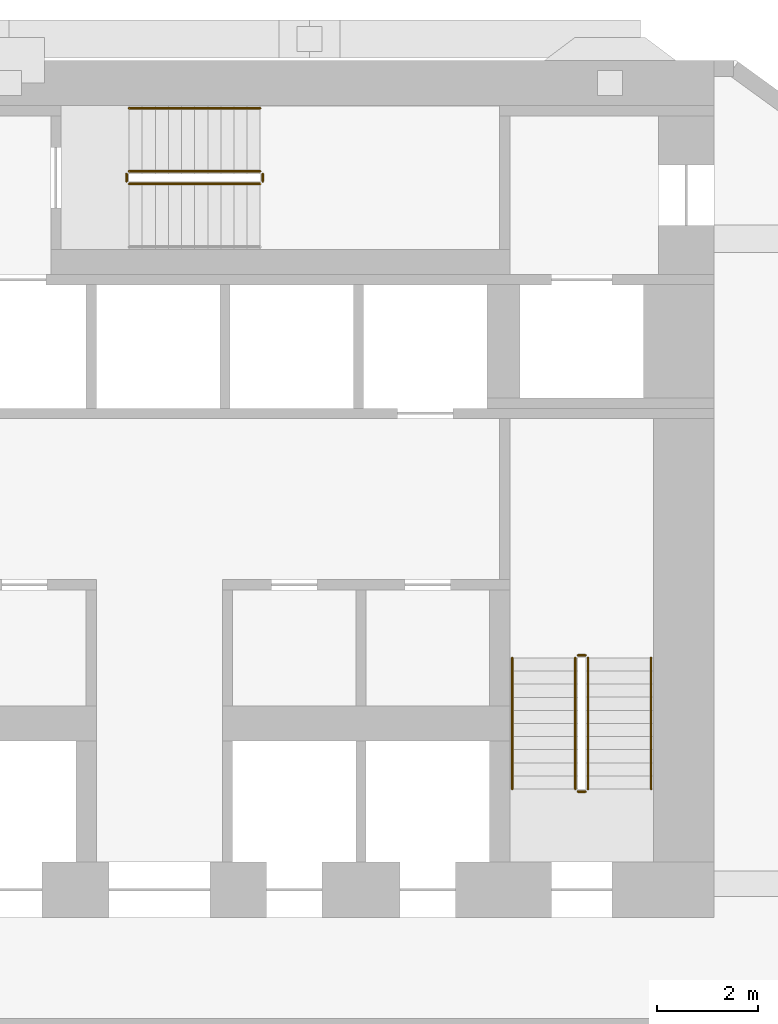
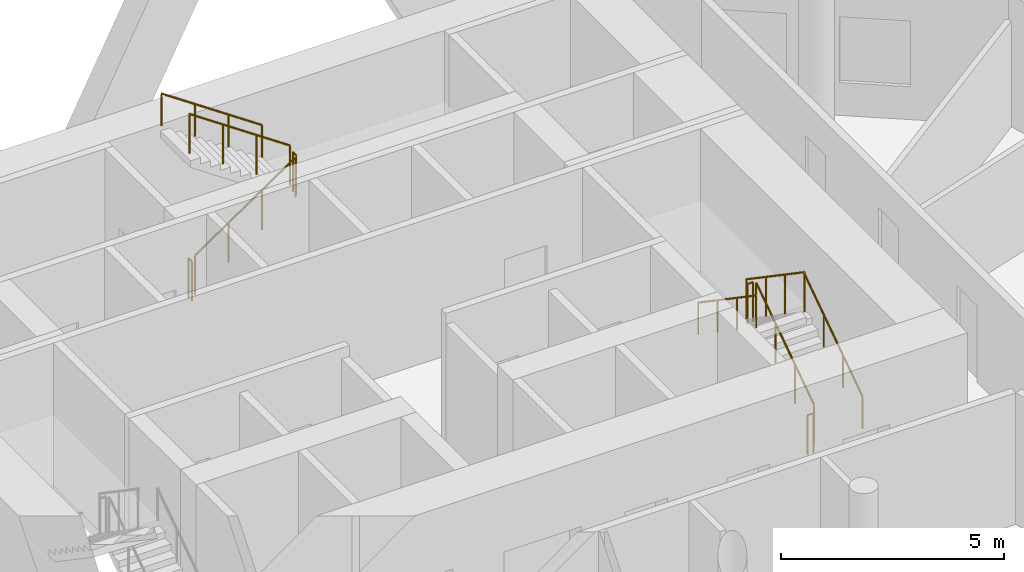
# One storey, part 10 of 10: 11 railings.
"""IFC4 building model written with IfcOpenShell, lengths in metres."""

from ifc_helpers import new_model, si_unit, direction, frame, origin, origin_2d, place, context, subcontext, project, spatial, circle, extrude, material, type_object, element, save


model = new_model("IFC4")

# Units and contexts
model_context = context("Model", 3, precision=1e-05, world=origin(), true_north=direction((0.0, 1.0)))
body_context = subcontext(model_context, "Body", "Model", "MODEL_VIEW")
ifc_project = project(units=[si_unit("LENGTHUNIT", "METRE"), si_unit("AREAUNIT", "SQUARE_METRE"), si_unit("VOLUMEUNIT", "CUBIC_METRE"), si_unit("PLANEANGLEUNIT", "RADIAN"), si_unit("MASSUNIT", "GRAM", prefix="KILO")], contexts=[model_context])

# Site, building, storey
site_placement = place(None, origin())
site = spatial("IfcSite", under=ifc_project, at=site_placement, CompositionType="ELEMENT")
building_placement = place(site_placement, origin())
building = spatial("IfcBuilding", under=site, at=building_placement, Name="White Candle Pilgrim Tower", CompositionType="ELEMENT")
storey_placement = place(building_placement, frame((0.0, 0.0, 114.199951171875)))
storey = spatial("IfcBuildingStorey", under=building, at=storey_placement, Name="L25", CompositionType="ELEMENT", Elevation=114.199951171875)

# Railings
ifc_material = material(Name="Stainless steel", Category="steel")
railing_type_1 = type_object("IfcRailingType", Name="Stair guard stainless steel 1100 mm", PredefinedType="GUARDRAIL", material=ifc_material)
railing_1_placement = place(storey_placement, frame((78.5, 73.550048828125, 0.17724609375)))
element("IfcRailing", 1, at=railing_1_placement, inside=storey, type_object=railing_type_1, Name="L25 ST2 stair guard 1", PredefinedType="GUARDRAIL", context=body_context, shape_type="SweptSolid", body=[
    extrude(circle(Radius=0.02392578125, at=origin_2d()), frame((0.0, 0.0, 1.076171875), z_axis=(0.0, 0.826215852431, 0.563353676824), x_axis=(-1.0, 0.0, 0.0)), (0.0, 0.0, 1.0), 3.146728515625),
    extrude(circle(Radius=0.02099609375, at=origin_2d()), origin(), (0.0, 0.0, 1.0), 1.052001953125),
    extrude(circle(Radius=0.02099609375, at=origin_2d()), frame((0.0, 0.86669921875, 0.5908203125)), (0.0, 0.0, 1.0), 1.052001953125),
    extrude(circle(Radius=0.02099609375, at=origin_2d()), frame((0.0, 1.733154296875, 1.181884765625)), (0.0, 0.0, 1.0), 1.052001953125),
    extrude(circle(Radius=0.02099609375, at=origin_2d()), frame((0.0, 2.599853515625, 1.772705078125)), (0.0, 0.0, 1.0), 1.052001953125),
])
railing_2_placement = place(storey_placement, frame((78.449951171875, 76.199951171875, 1.949951171875)))
element("IfcRailing", 2, at=railing_2_placement, inside=storey, type_object=railing_type_1, Name="L25 ST2 stair guard 2", PredefinedType="GUARDRAIL", context=body_context, shape_type="SweptSolid", body=[
    extrude(circle(Radius=0.02392578125, at=origin_2d()), frame((0.0, 0.0, 1.076171875), z_axis=(-1.0, 0.0, 0.0), x_axis=(0.0, -1.0, 0.0)), (0.0, 0.0, 1.0), 0.14990234375),
    extrude(circle(Radius=0.02099609375, at=origin_2d()), origin(), (0.0, 0.0, 1.0), 1.052001953125),
    extrude(circle(Radius=0.02099609375, at=origin_2d()), frame((-0.14990234375, 0.0, 0.0)), (0.0, 0.0, 1.0), 1.052001953125),
])
railing_3_placement = place(storey_placement, frame((78.25, 76.14990234375, 2.12744140625)))
element("IfcRailing", 3, at=railing_3_placement, inside=storey, type_object=railing_type_1, Name="L25 ST2 stair guard 3", PredefinedType="GUARDRAIL", context=body_context, shape_type="SweptSolid", body=[
    extrude(circle(Radius=0.02392578125, at=origin_2d()), frame((0.0, 0.0, 1.076171875), z_axis=(0.0, -0.826215852431, 0.563353676824), x_axis=(1.0, 0.0, 0.0)), (0.0, 0.0, 1.0), 3.146728515625),
    extrude(circle(Radius=0.02099609375, at=origin_2d()), origin(), (0.0, 0.0, 1.0), 1.052001953125),
    extrude(circle(Radius=0.02099609375, at=origin_2d()), frame((0.0, -0.86669921875, 0.5908203125)), (0.0, 0.0, 1.0), 1.052001953125),
    extrude(circle(Radius=0.02099609375, at=origin_2d()), frame((0.0, -1.733154296875, 1.181884765625)), (0.0, 0.0, 1.0), 1.052001953125),
    extrude(circle(Radius=0.02099609375, at=origin_2d()), frame((0.0, -2.599853515625, 1.772705078125)), (0.0, 0.0, 1.0), 1.052001953125),
])
railing_4_placement = place(storey_placement, frame((78.449951171875, 73.5, 0.0)))
element("IfcRailing", 4, at=railing_4_placement, inside=storey, type_object=railing_type_1, Name="L25 ST2 stair guard 4", PredefinedType="GUARDRAIL", context=body_context, shape_type="SweptSolid", body=[
    extrude(circle(Radius=0.02392578125, at=origin_2d()), frame((0.0, 0.0, 1.076171875), z_axis=(-1.0, 0.0, 0.0), x_axis=(0.0, -1.0, 0.0)), (0.0, 0.0, 1.0), 0.14990234375),
    extrude(circle(Radius=0.02099609375, at=origin_2d()), origin(), (0.0, 0.0, 1.0), 1.052001953125),
    extrude(circle(Radius=0.02099609375, at=origin_2d()), frame((-0.14990234375, 0.0, 0.0)), (0.0, 0.0, 1.0), 1.052001953125),
])
railing_5_placement = place(storey_placement, frame((69.39990234375, 85.550048828125, 0.17724609375)))
element("IfcRailing", 5, at=railing_5_placement, inside=storey, type_object=railing_type_1, Name="L25 ST3 stair guard 1", PredefinedType="GUARDRAIL", context=body_context, shape_type="SweptSolid", body=[
    extrude(circle(Radius=0.02392578125, at=origin_2d()), frame((0.0, 0.0, 1.076171875), z_axis=(0.826240473404, 0.0, 0.563317565952), x_axis=(0.0, 1.0, 0.0)), (0.0, 0.0, 1.0), 3.14697265625),
    extrude(circle(Radius=0.02099609375, at=origin_2d()), origin(), (0.0, 0.0, 1.0), 1.052001953125),
    extrude(circle(Radius=0.02099609375, at=origin_2d()), frame((0.86669921875, 0.0, 0.5908203125)), (0.0, 0.0, 1.0), 1.052001953125),
    extrude(circle(Radius=0.02099609375, at=origin_2d()), frame((1.7333984375, 0.0, 1.181884765625)), (0.0, 0.0, 1.0), 1.052001953125),
    extrude(circle(Radius=0.02099609375, at=origin_2d()), frame((2.60009765625, 0.0, 1.772705078125)), (0.0, 0.0, 1.0), 1.052001953125),
])
railing_6_placement = place(storey_placement, frame((72.050048828125, 85.60009765625, 1.949951171875)))
element("IfcRailing", 6, at=railing_6_placement, inside=storey, type_object=railing_type_1, Name="L25 ST3 stair guard 2", PredefinedType="GUARDRAIL", context=body_context, shape_type="SweptSolid", body=[
    extrude(circle(Radius=0.02392578125, at=origin_2d()), frame((0.0, 0.0, 1.076171875), z_axis=(0.0, 1.0, 0.0), x_axis=(-1.0, 0.0, 0.0)), (0.0, 0.0, 1.0), 0.14990234375),
    extrude(circle(Radius=0.02099609375, at=origin_2d()), origin(), (0.0, 0.0, 1.0), 1.052001953125),
    extrude(circle(Radius=0.02099609375, at=origin_2d()), frame((0.0, 0.14990234375, 0.0)), (0.0, 0.0, 1.0), 1.052001953125),
])
railing_7_placement = place(storey_placement, frame((72.0, 85.800048828125, 2.12744140625)))
element("IfcRailing", 7, at=railing_7_placement, inside=storey, type_object=railing_type_1, Name="L25 ST3 stair guard 3", PredefinedType="GUARDRAIL", context=body_context, shape_type="SweptSolid", body=[
    extrude(circle(Radius=0.02392578125, at=origin_2d()), frame((0.0, 0.0, 1.076171875), z_axis=(-0.826240473404, 0.0, 0.563317565952), x_axis=(0.0, -1.0, 0.0)), (0.0, 0.0, 1.0), 3.14697265625),
    extrude(circle(Radius=0.02099609375, at=origin_2d()), origin(), (0.0, 0.0, 1.0), 1.052001953125),
    extrude(circle(Radius=0.02099609375, at=origin_2d()), frame((-0.86669921875, 0.0, 0.5908203125)), (0.0, 0.0, 1.0), 1.052001953125),
    extrude(circle(Radius=0.02099609375, at=origin_2d()), frame((-1.7333984375, 0.0, 1.181884765625)), (0.0, 0.0, 1.0), 1.052001953125),
    extrude(circle(Radius=0.02099609375, at=origin_2d()), frame((-2.60009765625, 0.0, 1.772705078125)), (0.0, 0.0, 1.0), 1.052001953125),
])
railing_8_placement = place(storey_placement, frame((69.35009765625, 85.60009765625, 0.0)))
element("IfcRailing", 8, at=railing_8_placement, inside=storey, type_object=railing_type_1, Name="L25 ST3 stair guard 4", PredefinedType="GUARDRAIL", context=body_context, shape_type="SweptSolid", body=[
    extrude(circle(Radius=0.02392578125, at=origin_2d()), frame((0.0, 0.0, 1.076171875), z_axis=(0.0, 1.0, 0.0), x_axis=(-1.0, 0.0, 0.0)), (0.0, 0.0, 1.0), 0.14990234375),
    extrude(circle(Radius=0.02099609375, at=origin_2d()), origin(), (0.0, 0.0, 1.0), 1.052001953125),
    extrude(circle(Radius=0.02099609375, at=origin_2d()), frame((0.0, 0.14990234375, 0.0)), (0.0, 0.0, 1.0), 1.052001953125),
])
railing_type_2 = type_object("IfcRailingType", Name="Stair handrail stainless steel", PredefinedType="HANDRAIL", material=ifc_material)
railing_9_placement = place(storey_placement, frame((79.75, 73.550048828125, 0.17724609375)))
element("IfcRailing", 9, at=railing_9_placement, inside=storey, type_object=railing_type_2, Name="L25 ST2 stair handrail 1", PredefinedType="HANDRAIL", context=body_context, shape_type="SweptSolid", body=[
    extrude(circle(Radius=0.02392578125, at=origin_2d()), frame((0.0, 0.0, 0.8759765625), z_axis=(0.0, 0.826215852431, 0.563353676824), x_axis=(-1.0, 0.0, 0.0)), (0.0, 0.0, 1.0), 3.146728515625),
    extrude(circle(Radius=0.02099609375, at=origin_2d()), origin(), (0.0, 0.0, 1.0), 0.851806640625),
    extrude(circle(Radius=0.02099609375, at=origin_2d()), frame((0.0, 0.86669921875, 0.5908203125)), (0.0, 0.0, 1.0), 0.851806640625),
    extrude(circle(Radius=0.02099609375, at=origin_2d()), frame((0.0, 1.733154296875, 1.181884765625)), (0.0, 0.0, 1.0), 0.851806640625),
    extrude(circle(Radius=0.02099609375, at=origin_2d()), frame((0.0, 2.599853515625, 1.772705078125)), (0.0, 0.0, 1.0), 0.851806640625),
])
railing_10_placement = place(storey_placement, frame((77.0, 76.14990234375, 2.12744140625)))
element("IfcRailing", 10, at=railing_10_placement, inside=storey, type_object=railing_type_2, Name="L25 ST2 stair handrail 2", PredefinedType="HANDRAIL", context=body_context, shape_type="SweptSolid", body=[
    extrude(circle(Radius=0.02392578125, at=origin_2d()), frame((0.0, 0.0, 0.8759765625), z_axis=(0.0, -0.826215852431, 0.563353676824), x_axis=(1.0, 0.0, 0.0)), (0.0, 0.0, 1.0), 3.146728515625),
    extrude(circle(Radius=0.02099609375, at=origin_2d()), origin(), (0.0, 0.0, 1.0), 0.851806640625),
    extrude(circle(Radius=0.02099609375, at=origin_2d()), frame((0.0, -0.86669921875, 0.5908203125)), (0.0, 0.0, 1.0), 0.851806640625),
    extrude(circle(Radius=0.02099609375, at=origin_2d()), frame((0.0, -1.733154296875, 1.181884765625)), (0.0, 0.0, 1.0), 0.851806640625),
    extrude(circle(Radius=0.02099609375, at=origin_2d()), frame((0.0, -2.599853515625, 1.772705078125)), (0.0, 0.0, 1.0), 0.851806640625),
])
railing_11_placement = place(storey_placement, frame((72.0, 87.050048828125, 2.12744140625)))
element("IfcRailing", 11, at=railing_11_placement, inside=storey, type_object=railing_type_2, Name="L25 ST3 stair handrail 2", PredefinedType="HANDRAIL", context=body_context, shape_type="SweptSolid", body=[
    extrude(circle(Radius=0.02392578125, at=origin_2d()), frame((0.0, 0.0, 0.8759765625), z_axis=(-0.826240473404, 0.0, 0.563317565952), x_axis=(0.0, -1.0, 0.0)), (0.0, 0.0, 1.0), 3.14697265625),
    extrude(circle(Radius=0.02099609375, at=origin_2d()), origin(), (0.0, 0.0, 1.0), 0.851806640625),
    extrude(circle(Radius=0.02099609375, at=origin_2d()), frame((-0.86669921875, 0.0, 0.5908203125)), (0.0, 0.0, 1.0), 0.851806640625),
    extrude(circle(Radius=0.02099609375, at=origin_2d()), frame((-1.7333984375, 0.0, 1.181884765625)), (0.0, 0.0, 1.0), 0.851806640625),
    extrude(circle(Radius=0.02099609375, at=origin_2d()), frame((-2.60009765625, 0.0, 1.772705078125)), (0.0, 0.0, 1.0), 0.851806640625),
])

save(model, "model.ifc")
